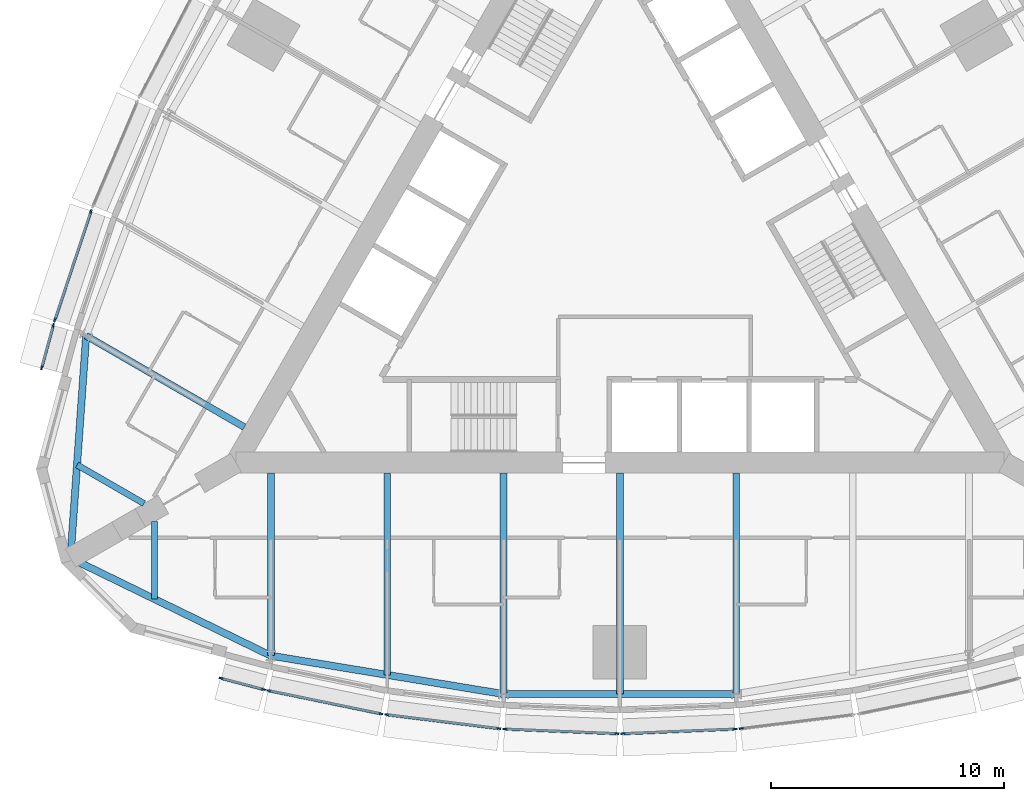
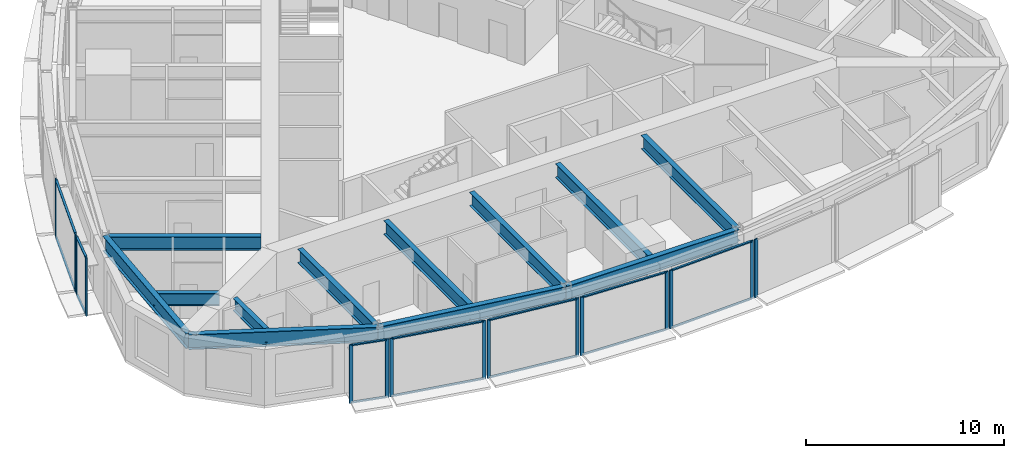
# One storey, part 2 of 15: 29 members, 12 beams, 8 elements without a shape of their own.
"""IFC4 building model written with IfcOpenShell, lengths in metres."""

from ifc_helpers import new_model, si_unit, direction, frame, origin, origin_2d, place, context, subcontext, project, spatial, rectangle, i_section, extrude, material, material_profile, profile_set, type_object, element, aggregate, save


model = new_model("IFC4")

# Units and contexts
model_context = context("Model", 3, precision=1e-05, world=origin(), true_north=direction((0.0, 1.0)))
body_context = subcontext(model_context, "Body", "Model", "MODEL_VIEW")
ifc_project = project(units=[si_unit("LENGTHUNIT", "METRE"), si_unit("AREAUNIT", "SQUARE_METRE"), si_unit("VOLUMEUNIT", "CUBIC_METRE"), si_unit("PLANEANGLEUNIT", "RADIAN"), si_unit("MASSUNIT", "GRAM", prefix="KILO")], contexts=[model_context])

# Site, building, storey
site_placement = place(None, origin())
site = spatial("IfcSite", under=ifc_project, at=site_placement, CompositionType="ELEMENT")
building_placement = place(site_placement, origin())
building = spatial("IfcBuilding", under=site, at=building_placement, Name="Trikona Tower", CompositionType="ELEMENT")
storey_placement = place(building_placement, frame((0.0, 0.0, 200.89990234375)))
storey = spatial("IfcBuildingStorey", under=building, at=storey_placement, Name="L53", CompositionType="ELEMENT", Elevation=200.89990234375)

# Curtain wall, members
ifc_material_1 = material(Name="Aluminium curtain wall system", Category="aluminium")
curtain_wall_type = type_object("IfcCurtainWallType", Name="Curtain wall DS3", PredefinedType="NOTDEFINED", material=ifc_material_1)
curtain_wall_1_placement = place(storey_placement, origin())
curtain_wall_1 = element("IfcCurtainWall", 1, at=curtain_wall_1_placement, inside=storey, type_object=curtain_wall_type, Name="Curtain wall DS3 L53", PredefinedType="NOTDEFINED")
ifc_material_2 = material(Name="Aluminium mullion, pale anodised", Category="aluminium")
ifc_material_profile_1 = material_profile(ifc_material_2, rectangle(XDim=0.070068359375, YDim=0.179931640625, at=origin_2d()), Name="MUL-DS3")
ifc_profile_set_1 = profile_set([ifc_material_profile_1], Name="Aluminium mullion, pale anodised")
member_type_1 = type_object("IfcMemberType", Name="Mullion DS3 70x180", PredefinedType="MULLION", material=ifc_profile_set_1)
member_1_placement = place(storey_placement, frame((-17.137451171875, -18.79248046875, 0.0), z_axis=(0.0, 0.0, 1.0), x_axis=(0.25478635579, 0.966997369647, 0.0)))
member_1 = element("IfcMember", 2, at=member_1_placement, type_object=member_type_1, Name="CW-DS3 mullion 1", PredefinedType="MULLION", context=body_context, shape_type="SweptSolid", body=[
    extrude(rectangle(XDim=0.070068359375, YDim=0.179931640625, at=origin_2d()), origin(), (0.0, 0.0, 1.0), 3.60009765625),
])
member_2_placement = place(storey_placement, frame((-15.321044921875, -19.27099609375, 0.0), z_axis=(0.0, 0.0, 1.0), x_axis=(0.25478635579, 0.966997369647, 0.0)))
member_2 = element("IfcMember", 3, at=member_2_placement, type_object=member_type_1, Name="CW-DS3 mullion 2", PredefinedType="MULLION", context=body_context, shape_type="SweptSolid", body=[
    extrude(rectangle(XDim=0.070068359375, YDim=0.179931640625, at=origin_2d()), origin(), (0.0, 0.0, 1.0), 3.60009765625),
])

curtain_wall_2_placement = place(storey_placement, origin())
curtain_wall_2 = element("IfcCurtainWall", 4, at=curtain_wall_2_placement, inside=storey, type_object=curtain_wall_type, Name="Curtain wall DS3 L53", PredefinedType="NOTDEFINED")
member_3_placement = place(storey_placement, frame((-15.08837890625, -19.325439453125, 0.0), z_axis=(0.0, 0.0, 1.0), x_axis=(0.201652920672, 0.979457043256, 0.0)))
member_3 = element("IfcMember", 5, at=member_3_placement, type_object=member_type_1, Name="CW-DS3 mullion 1", PredefinedType="MULLION", context=body_context, shape_type="SweptSolid", body=[
    extrude(rectangle(XDim=0.070068359375, YDim=0.179931640625, at=origin_2d()), origin(), (0.0, 0.0, 1.0), 3.60009765625),
])
member_4_placement = place(storey_placement, frame((-10.274658203125, -20.316650390625, 0.0), z_axis=(0.0, 0.0, 1.0), x_axis=(0.201652920672, 0.979457043256, 0.0)))
member_4 = element("IfcMember", 6, at=member_4_placement, type_object=member_type_1, Name="CW-DS3 mullion 2", PredefinedType="MULLION", context=body_context, shape_type="SweptSolid", body=[
    extrude(rectangle(XDim=0.070068359375, YDim=0.179931640625, at=origin_2d()), origin(), (0.0, 0.0, 1.0), 3.60009765625),
])

curtain_wall_3_placement = place(storey_placement, origin())
curtain_wall_3 = element("IfcCurtainWall", 7, at=curtain_wall_3_placement, inside=storey, type_object=curtain_wall_type, Name="Curtain wall DS3 L53", PredefinedType="NOTDEFINED")
member_5_placement = place(storey_placement, frame((-10.01611328125, -20.359130859375, 0.0), z_axis=(0.0, 0.0, 1.0), x_axis=(0.122610640458, 0.992454850785, 0.0)))
member_5 = element("IfcMember", 8, at=member_5_placement, type_object=member_type_1, Name="CW-DS3 mullion 1", PredefinedType="MULLION", context=body_context, shape_type="SweptSolid", body=[
    extrude(rectangle(XDim=0.070068359375, YDim=0.179931640625, at=origin_2d()), origin(), (0.0, 0.0, 1.0), 3.60009765625),
])
member_6_placement = place(storey_placement, frame((-5.20458984375, -20.95361328125, 0.0), z_axis=(0.0, 0.0, 1.0), x_axis=(0.122610640458, 0.992454850785, 0.0)))
member_6 = element("IfcMember", 9, at=member_6_placement, type_object=member_type_1, Name="CW-DS3 mullion 2", PredefinedType="MULLION", context=body_context, shape_type="SweptSolid", body=[
    extrude(rectangle(XDim=0.070068359375, YDim=0.179931640625, at=origin_2d()), origin(), (0.0, 0.0, 1.0), 3.60009765625),
])

curtain_wall_4_placement = place(storey_placement, origin())
curtain_wall_4 = element("IfcCurtainWall", 10, at=curtain_wall_4_placement, inside=storey, type_object=curtain_wall_type, Name="Curtain wall DS3 L53", PredefinedType="NOTDEFINED")
member_7_placement = place(storey_placement, frame((-4.942138671875, -20.97509765625, 0.0), z_axis=(0.0, 0.0, 1.0), x_axis=(0.04115278907, 0.999152865157, 0.0)))
member_7 = element("IfcMember", 11, at=member_7_placement, type_object=member_type_1, Name="CW-DS3 mullion 1", PredefinedType="MULLION", context=body_context, shape_type="SweptSolid", body=[
    extrude(rectangle(XDim=0.070068359375, YDim=0.179931640625, at=origin_2d()), origin(), (0.0, 0.0, 1.0), 3.60009765625),
])
member_8_placement = place(storey_placement, frame((-0.132080078125, -21.17333984375, 0.0), z_axis=(0.0, 0.0, 1.0), x_axis=(0.04115278907, 0.999152865157, 0.0)))
member_8 = element("IfcMember", 12, at=member_8_placement, type_object=member_type_1, Name="CW-DS3 mullion 2", PredefinedType="MULLION", context=body_context, shape_type="SweptSolid", body=[
    extrude(rectangle(XDim=0.070068359375, YDim=0.179931640625, at=origin_2d()), origin(), (0.0, 0.0, 1.0), 3.60009765625),
])

curtain_wall_5_placement = place(storey_placement, origin())
curtain_wall_5 = element("IfcCurtainWall", 13, at=curtain_wall_5_placement, inside=storey, type_object=curtain_wall_type, Name="Curtain wall DS3 L53", PredefinedType="NOTDEFINED")
member_9_placement = place(storey_placement, frame((0.132080078125, -21.17333984375, 0.0), z_axis=(0.0, 0.0, 1.0), x_axis=(-0.04115278907, 0.999152865157, 0.0)))
member_9 = element("IfcMember", 14, at=member_9_placement, type_object=member_type_1, Name="CW-DS3 mullion 1", PredefinedType="MULLION", context=body_context, shape_type="SweptSolid", body=[
    extrude(rectangle(XDim=0.070068359375, YDim=0.179931640625, at=origin_2d()), origin(), (0.0, 0.0, 1.0), 3.60009765625),
])
member_10_placement = place(storey_placement, frame((4.942138671875, -20.97509765625, 0.0), z_axis=(0.0, 0.0, 1.0), x_axis=(-0.04115278907, 0.999152865157, 0.0)))
member_10 = element("IfcMember", 15, at=member_10_placement, type_object=member_type_1, Name="CW-DS3 mullion 2", PredefinedType="MULLION", context=body_context, shape_type="SweptSolid", body=[
    extrude(rectangle(XDim=0.070068359375, YDim=0.179931640625, at=origin_2d()), origin(), (0.0, 0.0, 1.0), 3.60009765625),
])

# Curtain wall, member
curtain_wall_6_placement = place(storey_placement, origin())
curtain_wall_6 = element("IfcCurtainWall", 16, at=curtain_wall_6_placement, inside=storey, type_object=curtain_wall_type, Name="Curtain wall DS3 L53", PredefinedType="NOTDEFINED")
member_11_placement = place(storey_placement, frame((5.20458984375, -20.95361328125, 0.0), z_axis=(0.0, 0.0, 1.0), x_axis=(-0.122610640458, 0.992454850785, 0.0)))
member_11 = element("IfcMember", 17, at=member_11_placement, type_object=member_type_1, Name="CW-DS3 mullion 1", PredefinedType="MULLION", context=body_context, shape_type="SweptSolid", body=[
    extrude(rectangle(XDim=0.070068359375, YDim=0.179931640625, at=origin_2d()), origin(), (0.0, 0.0, 1.0), 3.60009765625),
])
aggregate(curtain_wall_6, [member_11])

# Curtain wall, members
curtain_wall_7_placement = place(storey_placement, origin())
curtain_wall_7 = element("IfcCurtainWall", 18, at=curtain_wall_7_placement, inside=storey, type_object=curtain_wall_type, Name="Curtain wall DS3 L53", PredefinedType="NOTDEFINED")
member_12_placement = place(storey_placement, frame((-22.73193359375, 1.26025390625, 0.0), z_axis=(0.0, 0.0, 1.0), x_axis=(0.949065766708, -0.315078038687, 0.0)))
member_12 = element("IfcMember", 19, at=member_12_placement, type_object=member_type_1, Name="CW-DS3 mullion 1", PredefinedType="MULLION", context=body_context, shape_type="SweptSolid", body=[
    extrude(rectangle(XDim=0.070068359375, YDim=0.179931640625, at=origin_2d()), origin(), (0.0, 0.0, 1.0), 3.60009765625),
])
member_13_placement = place(storey_placement, frame((-24.280517578125, -3.404296875, 0.0), z_axis=(0.0, 0.0, 1.0), x_axis=(0.949065766708, -0.315078038687, 0.0)))
member_13 = element("IfcMember", 20, at=member_13_placement, type_object=member_type_1, Name="CW-DS3 mullion 2", PredefinedType="MULLION", context=body_context, shape_type="SweptSolid", body=[
    extrude(rectangle(XDim=0.070068359375, YDim=0.179931640625, at=origin_2d()), origin(), (0.0, 0.0, 1.0), 3.60009765625),
])

curtain_wall_8_placement = place(storey_placement, origin())
curtain_wall_8 = element("IfcCurtainWall", 21, at=curtain_wall_8_placement, inside=storey, type_object=curtain_wall_type, Name="Curtain wall DS3 L53", PredefinedType="NOTDEFINED")
member_14_placement = place(storey_placement, frame((-24.349609375, -3.633056640625, 0.0), z_axis=(0.0, 0.0, 1.0), x_axis=(0.964838403494, -0.262843784676, 0.0)))
member_14 = element("IfcMember", 22, at=member_14_placement, type_object=member_type_1, Name="CW-DS3 mullion 1", PredefinedType="MULLION", context=body_context, shape_type="SweptSolid", body=[
    extrude(rectangle(XDim=0.070068359375, YDim=0.179931640625, at=origin_2d()), origin(), (0.0, 0.0, 1.0), 3.60009765625),
])
member_15_placement = place(storey_placement, frame((-24.843505859375, -5.4453125, 0.0), z_axis=(0.0, 0.0, 1.0), x_axis=(0.964838403494, -0.262843784676, 0.0)))
member_15 = element("IfcMember", 23, at=member_15_placement, type_object=member_type_1, Name="CW-DS3 mullion 2", PredefinedType="MULLION", context=body_context, shape_type="SweptSolid", body=[
    extrude(rectangle(XDim=0.070068359375, YDim=0.179931640625, at=origin_2d()), origin(), (0.0, 0.0, 1.0), 3.60009765625),
])

# Beams
ifc_material_3 = material(Name="Steel ASTM A992 Grade 50", Category="steel")
ifc_material_profile_2 = material_profile(ifc_material_3, i_section(OverallWidth=0.2666015625, OverallDepth=0.76953125, WebThickness=0.015625, FlangeThickness=0.025390625, at=origin_2d()), Name="W30X132")
ifc_profile_set_2 = profile_set([ifc_material_profile_2], Name="Steel ASTM A992 Grade 50")
beam_type_1 = type_object("IfcBeamType", Name="Steel beam W30x132 (wedge)", PredefinedType="BEAM", material=ifc_profile_set_2)
beam_1_placement = place(storey_placement, frame((-20.0, -12.066650390625, 3.05029296875), z_axis=(0.0, -1.0, 0.0), x_axis=(1.0, 0.0, 0.0)))
element("IfcBeam", 24, at=beam_1_placement, inside=storey, type_object=beam_type_1, Name="Floor beam L54 F1 u-20", PredefinedType="BEAM", context=body_context, shape_type="SweptSolid", body=[
    extrude(i_section(OverallWidth=0.2666015625, OverallDepth=0.76953125, WebThickness=0.015625, FlangeThickness=0.025390625, at=origin_2d()), origin(), (0.0, 0.0, 1.0), 3.322998046875),
])
beam_2_placement = place(storey_placement, frame((-20.449951171875, -11.287109375, 3.05029296875), z_axis=(-0.866019199568, 0.500010745865, 0.0), x_axis=(-0.500010745865, -0.866019199568, 0.0)))
element("IfcBeam", 25, at=beam_2_placement, inside=storey, type_object=beam_type_1, Name="Floor beam L54 F3 u20", PredefinedType="BEAM", context=body_context, shape_type="SweptSolid", body=[
    extrude(i_section(OverallWidth=0.2666015625, OverallDepth=0.76953125, WebThickness=0.015625, FlangeThickness=0.025390625, at=origin_2d()), origin(), (0.0, 0.0, 1.0), 3.3232421875),
])
ifc_material_4 = material(Name="Steel ASTM A992 Grade 50", Category="steel")
ifc_material_profile_3 = material_profile(ifc_material_4, i_section(OverallWidth=0.2919921875, OverallDepth=0.845703125, WebThickness=0.015380859375, FlangeThickness=0.0244140625, at=origin_2d()), Name="W33X141")
ifc_profile_set_3 = profile_set([ifc_material_profile_3], Name="Steel ASTM A992 Grade 50")
beam_type_2 = type_object("IfcBeamType", Name="Steel beam W33x141 (radial typ)", PredefinedType="BEAM", material=ifc_profile_set_3)
beam_3_placement = place(storey_placement, frame((-15.0, -9.976318359375, 3.01220703125), z_axis=(0.0, -1.0, 0.0), x_axis=(1.0, 0.0, 0.0)))
element("IfcBeam", 26, at=beam_3_placement, inside=storey, type_object=beam_type_2, Name="Floor beam L54 F1 u-15", PredefinedType="BEAM", context=body_context, shape_type="SweptSolid", body=[
    extrude(i_section(OverallWidth=0.2919921875, OverallDepth=0.845703125, WebThickness=0.015380859375, FlangeThickness=0.0244140625, at=origin_2d()), origin(), (0.0, 0.0, 1.0), 7.8486328125),
])
beam_4_placement = place(storey_placement, frame((-10.0, -9.976318359375, 3.01220703125), z_axis=(0.0, -1.0, 0.0), x_axis=(1.0, 0.0, 0.0)))
element("IfcBeam", 27, at=beam_4_placement, inside=storey, type_object=beam_type_2, Name="Floor beam L54 F1 u-10", PredefinedType="BEAM", context=body_context, shape_type="SweptSolid", body=[
    extrude(i_section(OverallWidth=0.2919921875, OverallDepth=0.845703125, WebThickness=0.015380859375, FlangeThickness=0.0244140625, at=origin_2d()), origin(), (0.0, 0.0, 1.0), 8.672119140625),
])
for number, where, z_axis, x_axis, name in (
    (28, (-5.0, -9.976318359375, 3.01220703125), (0.0, -1.0, 0.0), (1.0, 0.0, 0.0), "Floor beam L54 F1 u-5"),
    (29, (0.0, -9.976318359375, 3.01220703125), (0.0, -1.0, 0.0), (1.0, 0.0, 0.0), "Floor beam L54 F1 u0"),
    (30, (5.0, -9.976318359375, 3.01220703125), (0.0, -1.0, 0.0), (1.0, 0.0, 0.0), "Floor beam L54 F1 u5"),
):
    element("IfcBeam", number, at=place(storey_placement, frame(where, z_axis=z_axis, x_axis=x_axis)), inside=storey, type_object=beam_type_2, Name=name, PredefinedType="BEAM", context=body_context, shape_type="SweptSolid", body=[
        extrude(i_section(OverallWidth=0.2919921875, OverallDepth=0.845703125, WebThickness=0.015380859375, FlangeThickness=0.0244140625, at=origin_2d()), origin(), (0.0, 0.0, 1.0), 9.49560546875),
    ])
beam_5_placement = place(storey_placement, frame((-16.1396484375, -8.002197265625, 3.01220703125), z_axis=(-0.866025522914, 0.499999793661, 0.0), x_axis=(-0.499999793661, -0.866025522914, 0.0)))
element("IfcBeam", 31, at=beam_5_placement, inside=storey, type_object=beam_type_2, Name="Floor beam L54 F3 u15", PredefinedType="BEAM", context=body_context, shape_type="SweptSolid", body=[
    extrude(i_section(OverallWidth=0.2919921875, OverallDepth=0.845703125, WebThickness=0.015380859375, FlangeThickness=0.0244140625, at=origin_2d()), origin(), (0.0, 0.0, 1.0), 7.8486328125),
])
ifc_material_5 = material(Name="Steel ASTM A992 Grade 50", Category="steel")
ifc_material_profile_4 = material_profile(ifc_material_5, i_section(OverallWidth=0.307373046875, OverallDepth=0.922119140625, WebThickness=0.018310546875, FlangeThickness=0.030029296875, at=origin_2d()), Name="W36X182")
ifc_profile_set_4 = profile_set([ifc_material_profile_4], Name="Steel ASTM A992 Grade 50")
beam_type_3 = type_object("IfcBeamType", Name="Steel beam W36x182 (spandrel mid)", PredefinedType="SPANDREL", material=ifc_profile_set_4)
beam_6_placement = place(storey_placement, frame((-23.6103515625, -13.63134765625, 2.97412109375), z_axis=(0.899038503257, -0.437869580652, 0.0), x_axis=(0.437869580652, 0.899038503257, 0.0)))
element("IfcBeam", 32, at=beam_6_placement, inside=storey, type_object=beam_type_3, Name="Spandrel beam L54 F1-1", PredefinedType="SPANDREL", context=body_context, shape_type="SweptSolid", body=[
    extrude(i_section(OverallWidth=0.307373046875, OverallDepth=0.922119140625, WebThickness=0.018310546875, FlangeThickness=0.030029296875, at=origin_2d()), origin(), (0.0, 0.0, 1.0), 9.577392578125),
])
beam_7_placement = place(storey_placement, frame((-15.0, -17.824951171875, 2.97412109375), z_axis=(0.986707228918, -0.162507982575, 0.0), x_axis=(0.162507982575, 0.986707228918, 0.0)))
element("IfcBeam", 33, at=beam_7_placement, inside=storey, type_object=beam_type_3, Name="Spandrel beam L54 F1-2", PredefinedType="SPANDREL", context=body_context, shape_type="SweptSolid", body=[
    extrude(i_section(OverallWidth=0.307373046875, OverallDepth=0.922119140625, WebThickness=0.018310546875, FlangeThickness=0.030029296875, at=origin_2d()), origin(), (0.0, 0.0, 1.0), 10.134765625),
])
beam_8_placement = place(storey_placement, frame((-5.0, -19.471923828125, 2.97412109375), z_axis=(1.0, 0.0, 0.0), x_axis=(0.0, 1.0, 0.0)))
element("IfcBeam", 34, at=beam_8_placement, inside=storey, type_object=beam_type_3, Name="Spandrel beam L54 F1-3", PredefinedType="SPANDREL", context=body_context, shape_type="SweptSolid", body=[
    extrude(i_section(OverallWidth=0.307373046875, OverallDepth=0.922119140625, WebThickness=0.018310546875, FlangeThickness=0.030029296875, at=origin_2d()), origin(), (0.0, 0.0, 1.0), 10.0),
])
beam_9_placement = place(storey_placement, frame((-22.936767578125, -4.077880859375, 2.97412109375), z_axis=(-0.07033215835, -0.997523627541, 0.0), x_axis=(0.997523627541, -0.07033215835, 0.0)))
element("IfcBeam", 35, at=beam_9_placement, inside=storey, type_object=beam_type_3, Name="Spandrel beam L54 F3-5", PredefinedType="SPANDREL", context=body_context, shape_type="SweptSolid", body=[
    extrude(i_section(OverallWidth=0.307373046875, OverallDepth=0.922119140625, WebThickness=0.018310546875, FlangeThickness=0.030029296875, at=origin_2d()), origin(), (0.0, 0.0, 1.0), 9.5771484375),
])

# Member
ifc_material_6 = material(Name="Aluminium transom, pale anodised", Category="aluminium")
ifc_material_profile_5 = material_profile(ifc_material_6, rectangle(XDim=0.1201171875, YDim=0.070068359375, at=origin_2d()), Name="TRN-DS3")
ifc_profile_set_5 = profile_set([ifc_material_profile_5], Name="Aluminium transom, pale anodised")
member_type_2 = type_object("IfcMemberType", Name="Transom DS3 70x120", PredefinedType="USERDEFINED", material=ifc_profile_set_5)
member_16_placement = place(storey_placement, frame((-17.103515625, -18.80126953125, 0.03515625), z_axis=(0.966999290683, -0.254779064719, 0.0), x_axis=(0.254779064719, 0.966999290683, 0.0)))
member_16 = element("IfcMember", 36, at=member_16_placement, type_object=member_type_2, Name="CW-DS3 transom 1.1", ObjectType="TRANSOM", PredefinedType="USERDEFINED", context=body_context, shape_type="SweptSolid", body=[
    extrude(rectangle(XDim=0.1201171875, YDim=0.070068359375, at=origin_2d()), origin(), (0.0, 0.0, 1.0), 1.80810546875),
])

member_17_placement = place(storey_placement, frame((-17.103515625, -18.80126953125, 3.565185546875), z_axis=(0.966999290683, -0.254779064719, 0.0), x_axis=(0.254779064719, 0.966999290683, 0.0)))
member_17 = element("IfcMember", 37, at=member_17_placement, type_object=member_type_2, Name="CW-DS3 transom 1.2", ObjectType="TRANSOM", PredefinedType="USERDEFINED", context=body_context, shape_type="SweptSolid", body=[
    extrude(rectangle(XDim=0.1201171875, YDim=0.070068359375, at=origin_2d()), origin(), (0.0, 0.0, 1.0), 1.80810546875),
])

aggregate(curtain_wall_1, [member_1, member_2, member_16, member_17])

member_18_placement = place(storey_placement, frame((-15.05419921875, -19.33251953125, 0.03515625), z_axis=(0.979454408611, -0.201665717099, 0.0), x_axis=(0.201665717099, 0.979454408611, 0.0)))
member_18 = element("IfcMember", 38, at=member_18_placement, type_object=member_type_2, Name="CW-DS3 transom 1.1", ObjectType="TRANSOM", PredefinedType="USERDEFINED", context=body_context, shape_type="SweptSolid", body=[
    extrude(rectangle(XDim=0.1201171875, YDim=0.070068359375, at=origin_2d()), origin(), (0.0, 0.0, 1.0), 4.844970703125),
])

member_19_placement = place(storey_placement, frame((-15.05419921875, -19.33251953125, 3.565185546875), z_axis=(0.979454408611, -0.201665717099, 0.0), x_axis=(0.201665717099, 0.979454408611, 0.0)))
member_19 = element("IfcMember", 39, at=member_19_placement, type_object=member_type_2, Name="CW-DS3 transom 1.2", ObjectType="TRANSOM", PredefinedType="USERDEFINED", context=body_context, shape_type="SweptSolid", body=[
    extrude(rectangle(XDim=0.1201171875, YDim=0.070068359375, at=origin_2d()), origin(), (0.0, 0.0, 1.0), 4.844970703125),
])

aggregate(curtain_wall_2, [member_3, member_4, member_18, member_19])

member_20_placement = place(storey_placement, frame((-9.9814453125, -20.363525390625, 0.03515625), z_axis=(0.992459172161, -0.122575656611, 0.0), x_axis=(0.122575656611, 0.992459172161, 0.0)))
member_20 = element("IfcMember", 40, at=member_20_placement, type_object=member_type_2, Name="CW-DS3 transom 1.1", ObjectType="TRANSOM", PredefinedType="USERDEFINED", context=body_context, shape_type="SweptSolid", body=[
    extrude(rectangle(XDim=0.1201171875, YDim=0.070068359375, at=origin_2d()), origin(), (0.0, 0.0, 1.0), 4.7783203125),
])

member_21_placement = place(storey_placement, frame((-9.9814453125, -20.363525390625, 3.565185546875), z_axis=(0.992459172161, -0.122575656611, 0.0), x_axis=(0.122575656611, 0.992459172161, 0.0)))
member_21 = element("IfcMember", 41, at=member_21_placement, type_object=member_type_2, Name="CW-DS3 transom 1.2", ObjectType="TRANSOM", PredefinedType="USERDEFINED", context=body_context, shape_type="SweptSolid", body=[
    extrude(rectangle(XDim=0.1201171875, YDim=0.070068359375, at=origin_2d()), origin(), (0.0, 0.0, 1.0), 4.7783203125),
])

aggregate(curtain_wall_3, [member_5, member_6, member_20, member_21])

member_22_placement = place(storey_placement, frame((-4.9072265625, -20.9765625, 0.03515625), z_axis=(0.99915223027, -0.04116820067, 0.0), x_axis=(0.04116820067, 0.99915223027, 0.0)))
member_22 = element("IfcMember", 42, at=member_22_placement, type_object=member_type_2, Name="CW-DS3 transom 1.1", ObjectType="TRANSOM", PredefinedType="USERDEFINED", context=body_context, shape_type="SweptSolid", body=[
    extrude(rectangle(XDim=0.1201171875, YDim=0.070068359375, at=origin_2d()), origin(), (0.0, 0.0, 1.0), 4.744140625),
])

member_23_placement = place(storey_placement, frame((-4.9072265625, -20.9765625, 3.565185546875), z_axis=(0.99915223027, -0.04116820067, 0.0), x_axis=(0.04116820067, 0.99915223027, 0.0)))
member_23 = element("IfcMember", 43, at=member_23_placement, type_object=member_type_2, Name="CW-DS3 transom 1.2", ObjectType="TRANSOM", PredefinedType="USERDEFINED", context=body_context, shape_type="SweptSolid", body=[
    extrude(rectangle(XDim=0.1201171875, YDim=0.070068359375, at=origin_2d()), origin(), (0.0, 0.0, 1.0), 4.744140625),
])

aggregate(curtain_wall_4, [member_7, member_8, member_22, member_23])

member_24_placement = place(storey_placement, frame((0.1669921875, -21.171875, 0.03515625), z_axis=(0.99915223027, 0.04116820067, 0.0), x_axis=(-0.04116820067, 0.99915223027, 0.0)))
member_24 = element("IfcMember", 44, at=member_24_placement, type_object=member_type_2, Name="CW-DS3 transom 1.1", ObjectType="TRANSOM", PredefinedType="USERDEFINED", context=body_context, shape_type="SweptSolid", body=[
    extrude(rectangle(XDim=0.1201171875, YDim=0.070068359375, at=origin_2d()), origin(), (0.0, 0.0, 1.0), 4.744140625),
])

member_25_placement = place(storey_placement, frame((0.1669921875, -21.171875, 3.565185546875), z_axis=(0.99915223027, 0.04116820067, 0.0), x_axis=(-0.04116820067, 0.99915223027, 0.0)))
member_25 = element("IfcMember", 45, at=member_25_placement, type_object=member_type_2, Name="CW-DS3 transom 1.2", ObjectType="TRANSOM", PredefinedType="USERDEFINED", context=body_context, shape_type="SweptSolid", body=[
    extrude(rectangle(XDim=0.1201171875, YDim=0.070068359375, at=origin_2d()), origin(), (0.0, 0.0, 1.0), 4.744140625),
])

aggregate(curtain_wall_5, [member_9, member_10, member_24, member_25])

member_26_placement = place(storey_placement, frame((-22.7431640625, 1.22705078125, 0.03515625), z_axis=(-0.315063426034, -0.949070617802, 0.0), x_axis=(0.949070617802, -0.315063426034, 0.0)))
member_26 = element("IfcMember", 46, at=member_26_placement, type_object=member_type_2, Name="CW-DS3 transom 1.1", ObjectType="TRANSOM", PredefinedType="USERDEFINED", context=body_context, shape_type="SweptSolid", body=[
    extrude(rectangle(XDim=0.1201171875, YDim=0.070068359375, at=origin_2d()), origin(), (0.0, 0.0, 1.0), 4.8447265625),
])

member_27_placement = place(storey_placement, frame((-22.7431640625, 1.22705078125, 3.565185546875), z_axis=(-0.315063426034, -0.949070617802, 0.0), x_axis=(0.949070617802, -0.315063426034, 0.0)))
member_27 = element("IfcMember", 47, at=member_27_placement, type_object=member_type_2, Name="CW-DS3 transom 1.2", ObjectType="TRANSOM", PredefinedType="USERDEFINED", context=body_context, shape_type="SweptSolid", body=[
    extrude(rectangle(XDim=0.1201171875, YDim=0.070068359375, at=origin_2d()), origin(), (0.0, 0.0, 1.0), 4.8447265625),
])

aggregate(curtain_wall_7, [member_12, member_13, member_26, member_27])

member_28_placement = place(storey_placement, frame((-24.35888671875, -3.666748046875, 0.03515625), z_axis=(-0.262843243155, -0.964838551017, 0.0), x_axis=(0.964838551017, -0.262843243155, 0.0)))
member_28 = element("IfcMember", 48, at=member_28_placement, type_object=member_type_2, Name="CW-DS3 transom 1.1", ObjectType="TRANSOM", PredefinedType="USERDEFINED", context=body_context, shape_type="SweptSolid", body=[
    extrude(rectangle(XDim=0.1201171875, YDim=0.070068359375, at=origin_2d()), origin(), (0.0, 0.0, 1.0), 1.808349609375),
])

member_29_placement = place(storey_placement, frame((-24.35888671875, -3.666748046875, 3.565185546875), z_axis=(-0.262843243155, -0.964838551017, 0.0), x_axis=(0.964838551017, -0.262843243155, 0.0)))
member_29 = element("IfcMember", 49, at=member_29_placement, type_object=member_type_2, Name="CW-DS3 transom 1.2", ObjectType="TRANSOM", PredefinedType="USERDEFINED", context=body_context, shape_type="SweptSolid", body=[
    extrude(rectangle(XDim=0.1201171875, YDim=0.070068359375, at=origin_2d()), origin(), (0.0, 0.0, 1.0), 1.808349609375),
])

aggregate(curtain_wall_8, [member_14, member_15, member_28, member_29])

save(model, "model.ifc")
